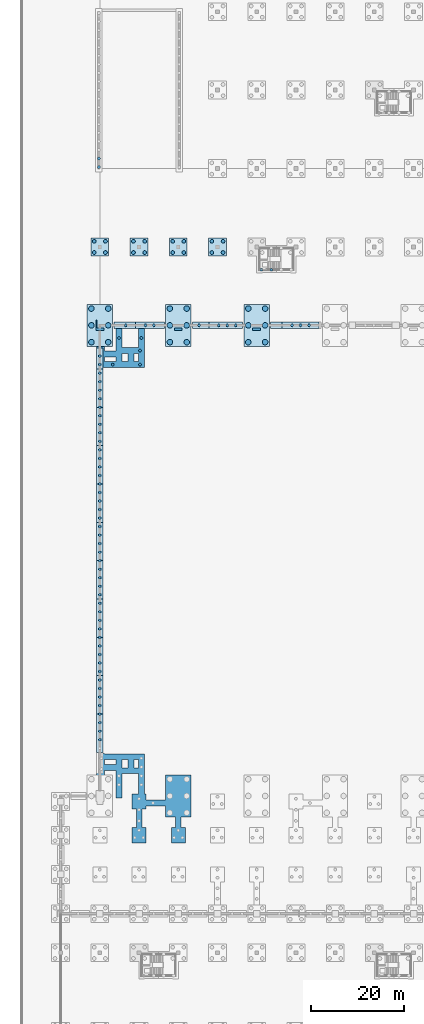
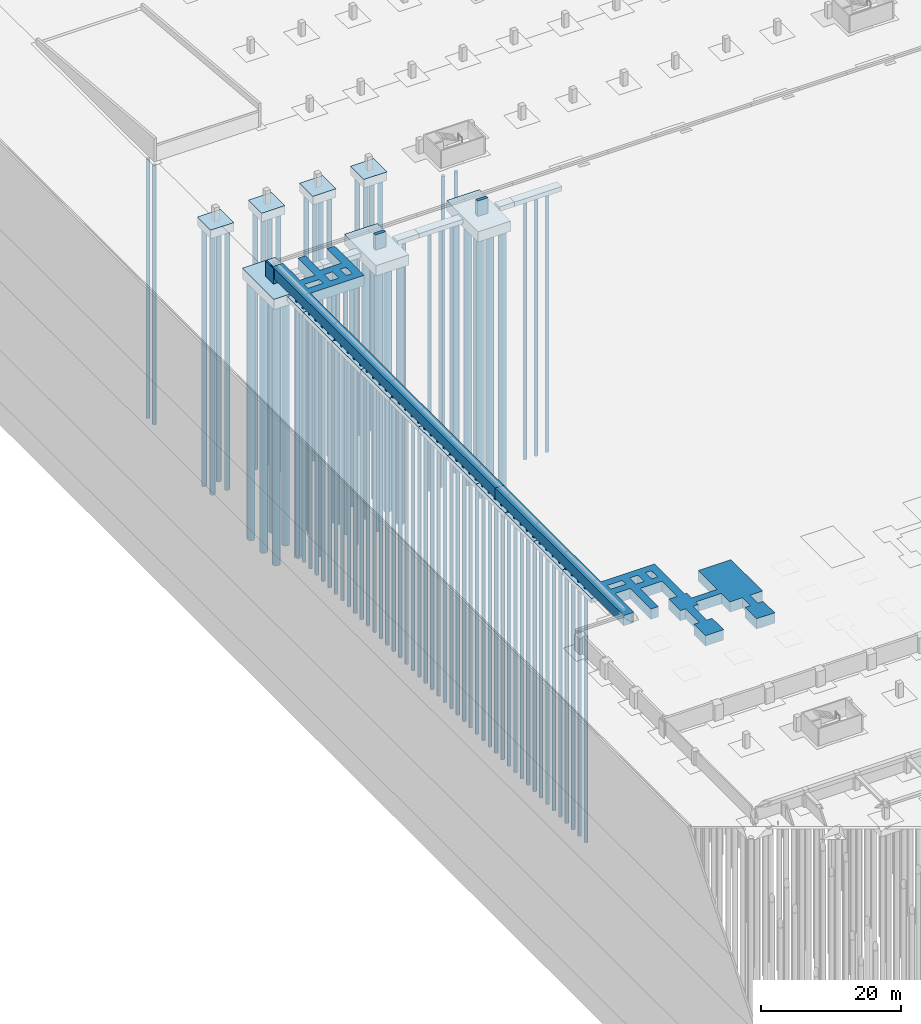
# One storey, part 13 of 67: 99 piles, 29 footings.
"""IFC4 building model written with IfcOpenShell, lengths in metres."""

from ifc_helpers import new_model, si_unit, direction, frame, origin, origin_2d, place, context, subcontext, project, spatial, polyline, circle, outline, extrude, material, material_profile, profile_set, type_object, element, save


model = new_model("IFC4")

# Units and contexts
model_context = context("Model", 3, precision=1e-05, world=origin(), true_north=direction((0.0, 1.0)))
body_context = subcontext(model_context, "Body", "Model", "MODEL_VIEW")
ifc_project = project(units=[si_unit("LENGTHUNIT", "METRE"), si_unit("AREAUNIT", "SQUARE_METRE"), si_unit("VOLUMEUNIT", "CUBIC_METRE"), si_unit("PLANEANGLEUNIT", "RADIAN"), si_unit("MASSUNIT", "GRAM", prefix="KILO")], contexts=[model_context])

# Site, building, storey
site_placement = place(None, origin())
site = spatial("IfcSite", under=ifc_project, at=site_placement, CompositionType="ELEMENT")
building_placement = place(site_placement, origin())
building = spatial("IfcBuilding", under=site, at=building_placement, Name="Rain Tree Exposition and Congress Centre", CompositionType="ELEMENT")
storey_placement = place(building_placement, frame((0.0, 0.0, -3.0)))
storey = spatial("IfcBuildingStorey", under=building, at=storey_placement, Name="B1", CompositionType="ELEMENT", Elevation=-3.0)

# Piles
ifc_material_1 = material(Name="Concrete C35/45", Category="concrete")
ifc_material_profile_1 = material_profile(ifc_material_1, circle(Radius=0.60009765625, at=origin_2d()), Name="D1200")
ifc_profile_set_1 = profile_set([ifc_material_profile_1], Name="Concrete C35/45")
pile_type_1 = type_object("IfcPileType", Name="Bored pile D1200", PredefinedType="BORED", material=ifc_profile_set_1)
for number, where, z_axis, x_axis, name in (
    (1, (23.39990234375, 198.0, -1.72509765625), (0.0, 0.0, -1.0), (1.0, 0.0, 0.0), "Bored pile 0193"),
    (2, (27.0, 198.0, -1.72509765625), (0.0, 0.0, -1.0), (1.0, 0.0, 0.0), "Bored pile 0194"),
    (3, (23.39990234375, 201.60009765625, -1.72509765625), (0.0, 0.0, -1.0), (1.0, 0.0, 0.0), "Bored pile 0195"),
    (4, (27.0, 201.60009765625, -1.72509765625), (0.0, 0.0, -1.0), (1.0, 0.0, 0.0), "Bored pile 0196"),
    (5, (23.39990234375, 205.199951171875, -1.72509765625), (0.0, 0.0, -1.0), (1.0, 0.0, 0.0), "Bored pile 0197"),
    (6, (27.0, 205.199951171875, -1.72509765625), (0.0, 0.0, -1.0), (1.0, 0.0, 0.0), "Bored pile 0198"),
    (7, (6.60009765625, 198.0, -1.72509765625), (0.0, 0.0, -1.0), (1.0, 0.0, 0.0), "Bored pile 0199"),
    (8, (10.199951171875, 198.0, -1.72509765625), (0.0, 0.0, -1.0), (1.0, 0.0, 0.0), "Bored pile 0200"),
    (9, (6.60009765625, 201.60009765625, -1.72509765625), (0.0, 0.0, -1.0), (1.0, 0.0, 0.0), "Bored pile 0201"),
    (10, (10.199951171875, 201.60009765625, -1.72509765625), (0.0, 0.0, -1.0), (1.0, 0.0, 0.0), "Bored pile 0202"),
    (11, (6.60009765625, 205.199951171875, -1.72509765625), (0.0, 0.0, -1.0), (1.0, 0.0, 0.0), "Bored pile 0203"),
    (12, (10.199951171875, 205.199951171875, -1.72509765625), (0.0, 0.0, -1.0), (1.0, 0.0, 0.0), "Bored pile 0204"),
    (13, (40.199951171875, 198.0, -1.72509765625), (0.0, 0.0, -1.0), (1.0, 0.0, 0.0), "Bored pile 0423"),
    (14, (43.800048828125, 198.0, -1.72509765625), (0.0, 0.0, -1.0), (1.0, 0.0, 0.0), "Bored pile 0424"),
    (15, (40.199951171875, 201.60009765625, -1.72509765625), (0.0, 0.0, -1.0), (1.0, 0.0, 0.0), "Bored pile 0425"),
    (16, (43.800048828125, 201.60009765625, -1.72509765625), (0.0, 0.0, -1.0), (1.0, 0.0, 0.0), "Bored pile 0426"),
    (17, (40.199951171875, 205.199951171875, -1.72509765625), (0.0, 0.0, -1.0), (1.0, 0.0, 0.0), "Bored pile 0427"),
    (18, (43.800048828125, 205.199951171875, -1.72509765625), (0.0, 0.0, -1.0), (1.0, 0.0, 0.0), "Bored pile 0428"),
):
    element("IfcPile", number, at=place(storey_placement, frame(where, z_axis=z_axis, x_axis=x_axis)), inside=storey, type_object=pile_type_1, Name=name, PredefinedType="BORED", context=body_context, shape_type="SweptSolid", body=[
        extrude(circle(Radius=0.60009765625, at=origin_2d()), origin(), (0.0, 0.0, 1.0), 45.074951171875),
    ])
ifc_material_2 = material(Name="Concrete C35/45", Category="concrete")
ifc_material_profile_2 = material_profile(ifc_material_2, circle(Radius=0.300048828125, at=origin_2d()), Name="D600")
ifc_profile_set_2 = profile_set([ifc_material_profile_2], Name="Concrete C35/45")
pile_type_2 = type_object("IfcPileType", Name="Bored pile D600", PredefinedType="BORED", material=ifc_profile_set_2)
for number, where, z_axis, x_axis, name in (
    (19, (8.199951171875, 237.333251953125, -0.72509765625), (0.0, 0.0, -1.0), (1.0, 0.0, 0.0), "Bored pile 0242"),
    (20, (8.199951171875, 235.5, -0.72509765625), (0.0, 0.0, -1.0), (1.0, 0.0, 0.0), "Bored pile 0243"),
    (21, (43.0, 213.5, -1.425048828125), (0.0, 0.0, -1.0), (1.0, 0.0, 0.0), "Bored pile 0437"),
    (22, (45.13330078125, 213.5, -1.425048828125), (0.0, 0.0, -1.0), (1.0, 0.0, 0.0), "Bored pile 0440"),
    (23, (12.5, 198.89990234375, 0.92578125), (0.0, 0.0, -1.0), (1.0, 0.0, 0.0), "Bored pile 1613"),
    (24, (17.300048828125, 198.89990234375, 0.92578125), (0.0, 0.0, -1.0), (1.0, 0.0, 0.0), "Bored pile 1614"),
    (25, (17.0, 196.199951171875, 0.92578125), (0.0, 0.0, -1.0), (1.0, 0.0, 0.0), "Bored pile 1615"),
    (26, (8.39990234375, 195.022216796875, 0.92578125), (0.0, 0.0, -1.0), (1.0, 0.0, 0.0), "Bored pile 1616"),
    (27, (11.14990234375, 193.199951171875, 0.92578125), (0.0, 0.0, -1.0), (1.0, 0.0, 0.0), "Bored pile 1617"),
    (28, (17.0, 193.199951171875, 0.92578125), (0.0, 0.0, -1.0), (1.0, 0.0, 0.0), "Bored pile 1618"),
    (29, (8.39990234375, 193.1962890625, 0.92578125), (0.0, 0.0, -1.0), (1.0, 0.0, 0.0), "Bored pile 1619"),
    (30, (8.39990234375, 191.370361328125, 0.92578125), (0.0, 0.0, -1.0), (1.0, 0.0, 0.0), "Bored pile 1620"),
    (31, (8.39990234375, 189.54443359375, 0.92578125), (0.0, 0.0, -1.0), (1.0, 0.0, 0.0), "Bored pile 1621"),
    (32, (8.39990234375, 187.718505859375, 0.92578125), (0.0, 0.0, -1.0), (1.0, 0.0, 0.0), "Bored pile 1622"),
    (33, (8.39990234375, 185.892578125, 0.92578125), (0.0, 0.0, -1.0), (1.0, 0.0, 0.0), "Bored pile 1623"),
    (34, (8.39990234375, 184.066650390625, 0.92578125), (0.0, 0.0, -1.0), (1.0, 0.0, 0.0), "Bored pile 1624"),
    (35, (8.39990234375, 182.24072265625, 0.92578125), (0.0, 0.0, -1.0), (1.0, 0.0, 0.0), "Bored pile 1625"),
    (36, (8.39990234375, 180.414794921875, 0.92578125), (0.0, 0.0, -1.0), (1.0, 0.0, 0.0), "Bored pile 1626"),
    (37, (8.39990234375, 178.5888671875, 0.92578125), (0.0, 0.0, -1.0), (1.0, 0.0, 0.0), "Bored pile 1627"),
    (38, (8.39990234375, 176.762939453125, 0.92578125), (0.0, 0.0, -1.0), (1.0, 0.0, 0.0), "Bored pile 1628"),
    (39, (8.39990234375, 174.93701171875, 0.92578125), (0.0, 0.0, -1.0), (1.0, 0.0, 0.0), "Bored pile 1629"),
    (40, (8.39990234375, 173.111083984375, 0.92578125), (0.0, 0.0, -1.0), (1.0, 0.0, 0.0), "Bored pile 1630"),
    (41, (8.39990234375, 171.28515625, 0.92578125), (0.0, 0.0, -1.0), (1.0, 0.0, 0.0), "Bored pile 1631"),
    (42, (8.39990234375, 169.459228515625, 0.92578125), (0.0, 0.0, -1.0), (1.0, 0.0, 0.0), "Bored pile 1632"),
    (43, (8.39990234375, 167.63330078125, 0.92578125), (0.0, 0.0, -1.0), (1.0, 0.0, 0.0), "Bored pile 1633"),
    (44, (8.39990234375, 165.807373046875, 0.92578125), (0.0, 0.0, -1.0), (1.0, 0.0, 0.0), "Bored pile 1634"),
    (45, (8.39990234375, 163.9814453125, 0.92578125), (0.0, 0.0, -1.0), (1.0, 0.0, 0.0), "Bored pile 1635"),
    (46, (8.39990234375, 162.155517578125, 0.92578125), (0.0, 0.0, -1.0), (1.0, 0.0, 0.0), "Bored pile 1636"),
    (47, (8.39990234375, 160.32958984375, 0.92578125), (0.0, 0.0, -1.0), (1.0, 0.0, 0.0), "Bored pile 1637"),
    (48, (8.39990234375, 158.503662109375, 0.92578125), (0.0, 0.0, -1.0), (1.0, 0.0, 0.0), "Bored pile 1638"),
    (49, (8.39990234375, 156.677734375, 0.92578125), (0.0, 0.0, -1.0), (1.0, 0.0, 0.0), "Bored pile 1639"),
    (50, (8.39990234375, 154.851806640625, 0.92578125), (0.0, 0.0, -1.0), (1.0, 0.0, 0.0), "Bored pile 1640"),
    (51, (8.39990234375, 153.02587890625, 0.92578125), (0.0, 0.0, -1.0), (1.0, 0.0, 0.0), "Bored pile 1641"),
    (52, (8.39990234375, 151.199951171875, 0.92578125), (0.0, 0.0, -1.0), (1.0, 0.0, 0.0), "Bored pile 1642"),
    (53, (8.39990234375, 149.3740234375, 0.92578125), (0.0, 0.0, -1.0), (1.0, 0.0, 0.0), "Bored pile 1643"),
    (54, (8.39990234375, 147.548095703125, 0.92578125), (0.0, 0.0, -1.0), (1.0, 0.0, 0.0), "Bored pile 1644"),
    (55, (8.39990234375, 145.72216796875, 0.92578125), (0.0, 0.0, -1.0), (1.0, 0.0, 0.0), "Bored pile 1645"),
    (56, (8.39990234375, 143.896240234375, 0.92578125), (0.0, 0.0, -1.0), (1.0, 0.0, 0.0), "Bored pile 1646"),
    (57, (8.39990234375, 142.0703125, 0.92578125), (0.0, 0.0, -1.0), (1.0, 0.0, 0.0), "Bored pile 1647"),
    (58, (8.39990234375, 140.244384765625, 0.92578125), (0.0, 0.0, -1.0), (1.0, 0.0, 0.0), "Bored pile 1648"),
    (59, (8.39990234375, 138.41845703125, 0.92578125), (0.0, 0.0, -1.0), (1.0, 0.0, 0.0), "Bored pile 1649"),
    (60, (8.39990234375, 136.592529296875, 0.92578125), (0.0, 0.0, -1.0), (1.0, 0.0, 0.0), "Bored pile 1650"),
    (61, (8.39990234375, 134.7666015625, 0.92578125), (0.0, 0.0, -1.0), (1.0, 0.0, 0.0), "Bored pile 1651"),
    (62, (8.39990234375, 132.940673828125, 0.92578125), (0.0, 0.0, -1.0), (1.0, 0.0, 0.0), "Bored pile 1652"),
    (63, (8.39990234375, 131.11474609375, 0.92578125), (0.0, 0.0, -1.0), (1.0, 0.0, 0.0), "Bored pile 1653"),
    (64, (8.39990234375, 129.288818359375, 0.92578125), (0.0, 0.0, -1.0), (1.0, 0.0, 0.0), "Bored pile 1654"),
    (65, (8.39990234375, 127.462890625, 0.92578125), (0.0, 0.0, -1.0), (1.0, 0.0, 0.0), "Bored pile 1655"),
    (66, (8.39990234375, 125.636962890625, 0.92578125), (0.0, 0.0, -1.0), (1.0, 0.0, 0.0), "Bored pile 1656"),
    (67, (8.39990234375, 123.81103515625, 0.92578125), (0.0, 0.0, -1.0), (1.0, 0.0, 0.0), "Bored pile 1657"),
    (68, (8.39990234375, 121.985107421875, 0.92578125), (0.0, 0.0, -1.0), (1.0, 0.0, 0.0), "Bored pile 1658"),
    (69, (8.39990234375, 120.1591796875, 0.92578125), (0.0, 0.0, -1.0), (1.0, 0.0, 0.0), "Bored pile 1659"),
    (70, (8.39990234375, 118.333251953125, 0.92578125), (0.0, 0.0, -1.0), (1.0, 0.0, 0.0), "Bored pile 1660"),
    (71, (8.39990234375, 116.50732421875, 0.92578125), (0.0, 0.0, -1.0), (1.0, 0.0, 0.0), "Bored pile 1661"),
    (72, (8.39990234375, 114.681396484375, 0.92578125), (0.0, 0.0, -1.0), (1.0, 0.0, 0.0), "Bored pile 1662"),
    (73, (8.39990234375, 112.855712890625, 0.92578125), (0.0, 0.0, -1.0), (1.0, 0.0, 0.0), "Bored pile 1663"),
    (74, (13.93994140625, 201.60009765625, -0.72509765625), (0.0, 0.0, -1.0), (1.0, 0.0, 0.0), "Bored pile 2490"),
    (75, (18.166748046875, 201.60009765625, -0.72509765625), (0.0, 0.0, -1.0), (1.0, 0.0, 0.0), "Bored pile 2491"),
    (76, (19.97998046875, 201.60009765625, -0.72509765625), (0.0, 0.0, -1.0), (1.0, 0.0, 0.0), "Bored pile 2492"),
    (77, (29.646728515625, 201.60009765625, -0.72509765625), (0.0, 0.0, -1.0), (1.0, 0.0, 0.0), "Bored pile 2493"),
    (78, (33.873291015625, 201.60009765625, -0.72509765625), (0.0, 0.0, -1.0), (1.0, 0.0, 0.0), "Bored pile 2494"),
    (79, (35.686767578125, 201.60009765625, -0.72509765625), (0.0, 0.0, -1.0), (1.0, 0.0, 0.0), "Bored pile 2495"),
    (80, (37.5, 201.60009765625, -0.72509765625), (0.0, 0.0, -1.0), (1.0, 0.0, 0.0), "Bored pile 2496"),
    (81, (49.580078125, 201.60009765625, -0.72509765625), (0.0, 0.0, -1.0), (1.0, 0.0, 0.0), "Bored pile 2497"),
    (82, (51.393310546875, 201.60009765625, -0.72509765625), (0.0, 0.0, -1.0), (1.0, 0.0, 0.0), "Bored pile 2498"),
    (83, (53.206787109375, 201.60009765625, -0.72509765625), (0.0, 0.0, -1.0), (1.0, 0.0, 0.0), "Bored pile 2499"),
):
    element("IfcPile", number, at=place(storey_placement, frame(where, z_axis=z_axis, x_axis=x_axis)), inside=storey, type_object=pile_type_2, Name=name, PredefinedType="BORED", context=body_context, shape_type="SweptSolid", body=[
        extrude(circle(Radius=0.300048828125, at=origin_2d()), origin(), (0.0, 0.0, 1.0), 45.074951171875),
    ])
ifc_material_3 = material(Name="Concrete C35/45", Category="concrete")
ifc_material_profile_3 = material_profile(ifc_material_3, circle(Radius=0.39990234375, at=origin_2d()), Name="D800")
ifc_profile_set_3 = profile_set([ifc_material_profile_3], Name="Concrete C35/45")
pile_type_3 = type_object("IfcPileType", Name="Bored pile D800", PredefinedType="BORED", material=ifc_profile_set_3)
for number, where, z_axis, x_axis, name in (
    (84, (7.199951171875, 217.199951171875, -1.425048828125), (0.0, 0.0, -1.0), (1.0, 0.0, 0.0), "Bored pile 0205"),
    (85, (9.60009765625, 217.199951171875, -1.425048828125), (0.0, 0.0, -1.0), (1.0, 0.0, 0.0), "Bored pile 0206"),
    (86, (7.199951171875, 219.60009765625, -1.425048828125), (0.0, 0.0, -1.0), (1.0, 0.0, 0.0), "Bored pile 0207"),
    (87, (9.60009765625, 219.60009765625, -1.425048828125), (0.0, 0.0, -1.0), (1.0, 0.0, 0.0), "Bored pile 0208"),
    (88, (32.39990234375, 217.199951171875, -1.425048828125), (0.0, 0.0, -1.0), (1.0, 0.0, 0.0), "Bored pile 0209"),
    (89, (34.800048828125, 217.199951171875, -1.425048828125), (0.0, 0.0, -1.0), (1.0, 0.0, 0.0), "Bored pile 0210"),
    (90, (32.39990234375, 219.60009765625, -1.425048828125), (0.0, 0.0, -1.0), (1.0, 0.0, 0.0), "Bored pile 0211"),
    (91, (34.800048828125, 219.60009765625, -1.425048828125), (0.0, 0.0, -1.0), (1.0, 0.0, 0.0), "Bored pile 0212"),
    (92, (15.60009765625, 217.199951171875, -1.425048828125), (0.0, 0.0, -1.0), (1.0, 0.0, 0.0), "Bored pile 0213"),
    (93, (18.0, 217.199951171875, -1.425048828125), (0.0, 0.0, -1.0), (1.0, 0.0, 0.0), "Bored pile 0214"),
    (94, (15.60009765625, 219.60009765625, -1.425048828125), (0.0, 0.0, -1.0), (1.0, 0.0, 0.0), "Bored pile 0215"),
    (95, (18.0, 219.60009765625, -1.425048828125), (0.0, 0.0, -1.0), (1.0, 0.0, 0.0), "Bored pile 0216"),
    (96, (24.0, 217.199951171875, -1.425048828125), (0.0, 0.0, -1.0), (1.0, 0.0, 0.0), "Bored pile 0217"),
    (97, (26.39990234375, 217.199951171875, -1.425048828125), (0.0, 0.0, -1.0), (1.0, 0.0, 0.0), "Bored pile 0218"),
    (98, (24.0, 219.60009765625, -1.425048828125), (0.0, 0.0, -1.0), (1.0, 0.0, 0.0), "Bored pile 0219"),
    (99, (26.39990234375, 219.60009765625, -1.425048828125), (0.0, 0.0, -1.0), (1.0, 0.0, 0.0), "Bored pile 0220"),
):
    element("IfcPile", number, at=place(storey_placement, frame(where, z_axis=z_axis, x_axis=x_axis)), inside=storey, type_object=pile_type_3, Name=name, PredefinedType="BORED", context=body_context, shape_type="SweptSolid", body=[
        extrude(circle(Radius=0.39990234375, at=origin_2d()), origin(), (0.0, 0.0, 1.0), 45.074951171875),
    ])

# Footings
ifc_material_4 = material(Name="Concrete C35/45", Category="concrete")
footing_type_1 = type_object("IfcFootingType", Name="Pier cap 2650 thick", PredefinedType="PILE_CAP", material=ifc_material_4)
footing_1_placement = place(storey_placement, origin())
element("IfcFooting", 100, at=footing_1_placement, inside=storey, type_object=footing_type_1, Name="Pier cap 015", PredefinedType="PILE_CAP", context=body_context, shape_type="SweptSolid", body=[
    extrude(outline(polyline([(24.35009765625, 201.0), (24.35009765625, 200.449951171875), (26.050048828125, 200.449951171875), (26.050048828125, 201.0), (24.35009765625, 201.0)])), origin(), (0.0, 0.0, 1.0), 2.64990234375),
])
footing_2_placement = place(storey_placement, origin())
element("IfcFooting", 101, at=footing_2_placement, inside=storey, type_object=footing_type_1, Name="Pier cap 016", PredefinedType="PILE_CAP", context=body_context, shape_type="SweptSolid", body=[
    extrude(outline(polyline([(41.14990234375, 201.0), (41.14990234375, 200.449951171875), (42.85009765625, 200.449951171875), (42.85009765625, 201.0), (41.14990234375, 201.0)])), origin(), (0.0, 0.0, 1.0), 2.64990234375),
])
footing_3_placement = place(storey_placement, origin())
element("IfcFooting", 102, at=footing_3_placement, inside=storey, type_object=footing_type_1, Name="Pier cap 029", PredefinedType="PILE_CAP", context=body_context, shape_type="SweptSolid", body=[
    extrude(outline(polyline([(7.550048828125, 202.75), (7.550048828125, 200.449951171875), (9.25, 200.449951171875), (9.25, 201.0), (7.800048828125, 201.0), (7.800048828125, 202.75), (7.550048828125, 202.75)])), origin(), (0.0, 0.0, 1.0), 2.64990234375),
])
ifc_material_5 = material(Name="Concrete C35/45", Category="concrete")
footing_type_2 = type_object("IfcFootingType", Name="Pile cap 1500 thick", PredefinedType="PILE_CAP", material=ifc_material_5)
footing_4_placement = place(storey_placement, frame((0.0, 0.0, -1.5)))
element("IfcFooting", 103, at=footing_4_placement, inside=storey, type_object=footing_type_2, Name="Pile cap 047", PredefinedType="PILE_CAP", context=body_context, shape_type="SweptSolid", body=[
    extrude(outline(polyline([(10.300048828125, 216.5), (10.300048828125, 220.300048828125), (6.5, 220.300048828125), (6.5, 216.5), (10.300048828125, 216.5)])), origin(), (0.0, 0.0, 1.0), 1.5),
])
footing_5_placement = place(storey_placement, frame((0.0, 0.0, -1.5)))
element("IfcFooting", 104, at=footing_5_placement, inside=storey, type_object=footing_type_2, Name="Pile cap 048", PredefinedType="PILE_CAP", context=body_context, shape_type="SweptSolid", body=[
    extrude(outline(polyline([(35.5, 216.5), (35.5, 220.300048828125), (31.699951171875, 220.300048828125), (31.699951171875, 216.5), (35.5, 216.5)])), origin(), (0.0, 0.0, 1.0), 1.5),
])
footing_6_placement = place(storey_placement, frame((0.0, 0.0, -1.5)))
element("IfcFooting", 105, at=footing_6_placement, inside=storey, type_object=footing_type_2, Name="Pile cap 049", PredefinedType="PILE_CAP", context=body_context, shape_type="SweptSolid", body=[
    extrude(outline(polyline([(18.699951171875, 216.5), (18.699951171875, 220.300048828125), (14.89990234375, 220.300048828125), (14.89990234375, 216.5), (18.699951171875, 216.5)])), origin(), (0.0, 0.0, 1.0), 1.5),
])
footing_7_placement = place(storey_placement, frame((0.0, 0.0, -1.5)))
element("IfcFooting", 106, at=footing_7_placement, inside=storey, type_object=footing_type_2, Name="Pile cap 050", PredefinedType="PILE_CAP", context=body_context, shape_type="SweptSolid", body=[
    extrude(outline(polyline([(27.10009765625, 216.5), (27.10009765625, 220.300048828125), (23.300048828125, 220.300048828125), (23.300048828125, 216.5), (27.10009765625, 216.5)])), origin(), (0.0, 0.0, 1.0), 1.5),
])
ifc_material_6 = material(Name="Concrete C35/45", Category="concrete")
footing_type_3 = type_object("IfcFootingType", Name="Pile cap 1800 thick", PredefinedType="PILE_CAP", material=ifc_material_6)
footing_8_placement = place(storey_placement, frame((0.0, 0.0, -1.800048828125)))
element("IfcFooting", 107, at=footing_8_placement, inside=storey, type_object=footing_type_3, Name="Pile cap 045", PredefinedType="PILE_CAP", context=body_context, shape_type="SweptSolid", body=[
    extrude(outline(polyline([(27.89990234375, 197.10009765625), (27.89990234375, 206.10009765625), (22.5, 206.10009765625), (22.5, 197.10009765625), (27.89990234375, 197.10009765625)])), origin(), (0.0, 0.0, 1.0), 1.800048828125),
])
footing_9_placement = place(storey_placement, frame((0.0, 0.0, -1.800048828125)))
element("IfcFooting", 108, at=footing_9_placement, inside=storey, type_object=footing_type_3, Name="Pile cap 046", PredefinedType="PILE_CAP", context=body_context, shape_type="SweptSolid", body=[
    extrude(outline(polyline([(11.10009765625, 197.10009765625), (11.10009765625, 206.10009765625), (5.699951171875, 206.10009765625), (5.699951171875, 197.10009765625), (11.10009765625, 197.10009765625)])), origin(), (0.0, 0.0, 1.0), 1.800048828125),
])
footing_10_placement = place(storey_placement, frame((0.0, 0.0, -1.800048828125)))
element("IfcFooting", 109, at=footing_10_placement, inside=storey, type_object=footing_type_3, Name="Pile cap 085", PredefinedType="PILE_CAP", context=body_context, shape_type="SweptSolid", body=[
    extrude(outline(polyline([(44.699951171875, 197.10009765625), (44.699951171875, 206.10009765625), (39.300048828125, 206.10009765625), (39.300048828125, 197.10009765625), (44.699951171875, 197.10009765625)])), origin(), (0.0, 0.0, 1.0), 1.800048828125),
])
ifc_material_7 = material(Name="Concrete C35/45", Category="concrete")
footing_type_4 = type_object("IfcFootingType", Name="Strip footing 1800 thick", PredefinedType="STRIP_FOOTING", material=ifc_material_7)
footing_11_placement = place(storey_placement, frame((0.0, 0.0, 0.8505859375)))
element("IfcFooting", 110, at=footing_11_placement, inside=storey, type_object=footing_type_4, Name="Strip footing 047", PredefinedType="STRIP_FOOTING", context=body_context, shape_type="SweptSolid", body=[
    extrude(outline(polyline([(7.699951171875, 200.800048828125), (7.699951171875, 137.505615234375), (9.10009765625, 137.505615234375), (9.10009765625, 192.550048828125), (9.39990234375, 192.550048828125), (9.39990234375, 192.574951171875), (11.875, 192.574951171875), (13.125, 192.574951171875), (14.47509765625, 192.574951171875), (15.72509765625, 192.574951171875), (16.675048828125, 192.574951171875), (17.925048828125, 192.574951171875), (17.925048828125, 193.199951171875), (17.925048828125, 193.824951171875), (17.925048828125, 195.574951171875), (17.925048828125, 196.824951171875), (17.925048828125, 201.0), (16.675048828125, 201.0), (16.675048828125, 196.824951171875), (15.72509765625, 196.824951171875), (14.47509765625, 196.824951171875), (13.125, 196.824951171875), (13.125, 201.0), (11.875, 201.0), (11.875, 196.824951171875), (11.875, 196.125), (9.39990234375, 196.125), (9.39990234375, 201.0), (9.10009765625, 201.0), (8.10009765625, 201.0), (7.800048828125, 201.0), (7.800048828125, 201.5), (7.699951171875, 201.5), (7.699951171875, 200.800048828125)]), holes=[polyline([(15.72509765625, 193.824951171875), (16.675048828125, 193.824951171875), (16.675048828125, 195.574951171875), (15.72509765625, 195.574951171875), (15.72509765625, 193.824951171875)]), polyline([(13.125, 193.824951171875), (14.47509765625, 193.824951171875), (14.47509765625, 195.574951171875), (13.125, 195.574951171875), (13.125, 193.824951171875)]), polyline([(9.39990234375, 193.824951171875), (11.875, 193.824951171875), (11.875, 194.875), (9.39990234375, 194.875), (9.39990234375, 193.824951171875)])]), origin(), (0.0, 0.0, 1.0), 1.800048828125),
])
footing_12_placement = place(storey_placement, frame((0.0, 0.0, 0.8505859375)))
element("IfcFooting", 111, at=footing_12_placement, inside=storey, type_object=footing_type_4, Name="Strip footing 048", PredefinedType="STRIP_FOOTING", context=body_context, shape_type="SweptSolid", body=[
    extrude(outline(polyline([(17.925048828125, 108.574951171875), (17.925048828125, 109.824951171875), (17.300048828125, 109.824951171875), (16.675048828125, 109.824951171875), (15.72509765625, 109.824951171875), (14.47509765625, 109.824951171875), (13.125, 109.824951171875), (11.875, 109.824951171875), (9.39990234375, 109.824951171875), (9.39990234375, 109.85009765625), (9.10009765625, 109.85009765625), (9.10009765625, 137.505615234375), (7.699951171875, 137.505615234375), (7.699951171875, 100.89990234375), (9.10009765625, 100.89990234375), (9.10009765625, 100.949951171875), (9.39990234375, 100.949951171875), (9.39990234375, 101.60009765625), (9.39990234375, 106.27490234375), (11.875, 106.27490234375), (11.875, 105.574951171875), (11.875, 100.375), (13.125, 100.375), (13.125, 101.0), (13.125, 105.574951171875), (14.47509765625, 105.574951171875), (15.72509765625, 105.574951171875), (16.675048828125, 105.574951171875), (16.675048828125, 101.2392578125), (15.300048828125, 101.2392578125), (15.300048828125, 97.960693359375), (16.199951171875, 97.960693359375), (16.199951171875, 94.039306640625), (15.300048828125, 94.039306640625), (15.300048828125, 90.7607421875), (18.300048828125, 90.7607421875), (18.300048828125, 94.039306640625), (17.39990234375, 94.039306640625), (17.39990234375, 97.960693359375), (18.300048828125, 97.960693359375), (18.300048828125, 98.699951171875), (22.5, 98.699951171875), (22.5, 96.300048828125), (24.60009765625, 96.300048828125), (24.60009765625, 94.039306640625), (23.699951171875, 94.039306640625), (23.699951171875, 90.7607421875), (26.699951171875, 90.7607421875), (26.699951171875, 94.039306640625), (25.800048828125, 94.039306640625), (25.800048828125, 96.300048828125), (27.89990234375, 96.300048828125), (27.89990234375, 105.300048828125), (22.5, 105.300048828125), (22.5, 99.89990234375), (18.300048828125, 99.89990234375), (18.300048828125, 101.2392578125), (17.925048828125, 101.2392578125), (17.925048828125, 105.574951171875), (17.925048828125, 106.824951171875), (17.925048828125, 108.574951171875)]), holes=[polyline([(15.72509765625, 106.824951171875), (16.675048828125, 106.824951171875), (16.675048828125, 108.574951171875), (15.72509765625, 108.574951171875), (15.72509765625, 106.824951171875)]), polyline([(13.125, 106.824951171875), (14.47509765625, 106.824951171875), (14.47509765625, 108.574951171875), (13.125, 108.574951171875), (13.125, 106.824951171875)]), polyline([(11.875, 107.52490234375), (11.875, 108.574951171875), (9.39990234375, 108.574951171875), (9.39990234375, 107.52490234375), (11.875, 107.52490234375)])]), origin(), (0.0, 0.0, 1.0), 1.800048828125),
])
ifc_material_8 = material(Name="Concrete C35/45", Category="concrete")
footing_type_5 = type_object("IfcFootingType", Name="Strip footing 800 thick", PredefinedType="STRIP_FOOTING", material=ifc_material_8)
footing_13_placement = place(storey_placement, frame((0.0, 0.0, -0.800048828125)))
element("IfcFooting", 112, at=footing_13_placement, inside=storey, type_object=footing_type_5, Name="Strip footing 137", PredefinedType="STRIP_FOOTING", context=body_context, shape_type="SweptSolid", body=[
    extrude(outline(polyline([(9.10009765625, 110.158203125), (9.10009765625, 118.36669921875), (7.699951171875, 118.36669921875), (7.699951171875, 110.158203125), (9.10009765625, 110.158203125)])), origin(), (0.0, 0.0, 1.0), 0.800048828125),
])
footing_14_placement = place(storey_placement, frame((0.0, 0.0, -0.800048828125)))
element("IfcFooting", 113, at=footing_14_placement, inside=storey, type_object=footing_type_5, Name="Strip footing 138", PredefinedType="STRIP_FOOTING", context=body_context, shape_type="SweptSolid", body=[
    extrude(outline(polyline([(9.10009765625, 118.36669921875), (9.10009765625, 126.574951171875), (7.699951171875, 126.574951171875), (7.699951171875, 118.36669921875), (9.10009765625, 118.36669921875)])), origin(), (0.0, 0.0, 1.0), 0.800048828125),
])
footing_15_placement = place(storey_placement, frame((0.0, 0.0, -0.800048828125)))
element("IfcFooting", 114, at=footing_15_placement, inside=storey, type_object=footing_type_5, Name="Strip footing 139", PredefinedType="STRIP_FOOTING", context=body_context, shape_type="SweptSolid", body=[
    extrude(outline(polyline([(9.10009765625, 126.574951171875), (9.10009765625, 134.783203125), (7.699951171875, 134.783203125), (7.699951171875, 126.574951171875), (9.10009765625, 126.574951171875)])), origin(), (0.0, 0.0, 1.0), 0.800048828125),
])
footing_16_placement = place(storey_placement, frame((0.0, 0.0, -0.800048828125)))
element("IfcFooting", 115, at=footing_16_placement, inside=storey, type_object=footing_type_5, Name="Strip footing 140", PredefinedType="STRIP_FOOTING", context=body_context, shape_type="SweptSolid", body=[
    extrude(outline(polyline([(9.10009765625, 134.783203125), (9.10009765625, 142.99169921875), (7.699951171875, 142.99169921875), (7.699951171875, 134.783203125), (9.10009765625, 134.783203125)])), origin(), (0.0, 0.0, 1.0), 0.800048828125),
])
footing_17_placement = place(storey_placement, frame((0.0, 0.0, -0.800048828125)))
element("IfcFooting", 116, at=footing_17_placement, inside=storey, type_object=footing_type_5, Name="Strip footing 141", PredefinedType="STRIP_FOOTING", context=body_context, shape_type="SweptSolid", body=[
    extrude(outline(polyline([(9.10009765625, 142.99169921875), (9.10009765625, 151.199951171875), (7.699951171875, 151.199951171875), (7.699951171875, 142.99169921875), (9.10009765625, 142.99169921875)])), origin(), (0.0, 0.0, 1.0), 0.800048828125),
])
footing_18_placement = place(storey_placement, frame((0.0, 0.0, -0.800048828125)))
element("IfcFooting", 117, at=footing_18_placement, inside=storey, type_object=footing_type_5, Name="Strip footing 142", PredefinedType="STRIP_FOOTING", context=body_context, shape_type="SweptSolid", body=[
    extrude(outline(polyline([(9.10009765625, 151.199951171875), (9.10009765625, 159.408203125), (7.699951171875, 159.408203125), (7.699951171875, 151.199951171875), (9.10009765625, 151.199951171875)])), origin(), (0.0, 0.0, 1.0), 0.800048828125),
])
footing_19_placement = place(storey_placement, frame((0.0, 0.0, -0.800048828125)))
element("IfcFooting", 118, at=footing_19_placement, inside=storey, type_object=footing_type_5, Name="Strip footing 143", PredefinedType="STRIP_FOOTING", context=body_context, shape_type="SweptSolid", body=[
    extrude(outline(polyline([(9.10009765625, 159.408203125), (9.10009765625, 167.61669921875), (7.699951171875, 167.61669921875), (7.699951171875, 159.408203125), (9.10009765625, 159.408203125)])), origin(), (0.0, 0.0, 1.0), 0.800048828125),
])
footing_20_placement = place(storey_placement, frame((0.0, 0.0, -0.800048828125)))
element("IfcFooting", 119, at=footing_20_placement, inside=storey, type_object=footing_type_5, Name="Strip footing 144", PredefinedType="STRIP_FOOTING", context=body_context, shape_type="SweptSolid", body=[
    extrude(outline(polyline([(9.10009765625, 167.61669921875), (9.10009765625, 175.824951171875), (7.699951171875, 175.824951171875), (7.699951171875, 167.61669921875), (9.10009765625, 167.61669921875)])), origin(), (0.0, 0.0, 1.0), 0.800048828125),
])
footing_21_placement = place(storey_placement, frame((0.0, 0.0, -0.800048828125)))
element("IfcFooting", 120, at=footing_21_placement, inside=storey, type_object=footing_type_5, Name="Strip footing 145", PredefinedType="STRIP_FOOTING", context=body_context, shape_type="SweptSolid", body=[
    extrude(outline(polyline([(9.10009765625, 175.824951171875), (9.10009765625, 184.033203125), (7.699951171875, 184.033203125), (7.699951171875, 175.824951171875), (9.10009765625, 175.824951171875)])), origin(), (0.0, 0.0, 1.0), 0.800048828125),
])
footing_22_placement = place(storey_placement, frame((0.0, 0.0, -0.800048828125)))
element("IfcFooting", 121, at=footing_22_placement, inside=storey, type_object=footing_type_5, Name="Strip footing 146", PredefinedType="STRIP_FOOTING", context=body_context, shape_type="SweptSolid", body=[
    extrude(outline(polyline([(9.10009765625, 184.033203125), (9.10009765625, 192.24169921875), (7.699951171875, 192.24169921875), (7.699951171875, 184.033203125), (9.10009765625, 184.033203125)])), origin(), (0.0, 0.0, 1.0), 0.800048828125),
])
footing_23_placement = place(storey_placement, frame((0.0, 0.0, -0.800048828125)))
element("IfcFooting", 122, at=footing_23_placement, inside=storey, type_object=footing_type_5, Name="Strip footing 147", PredefinedType="STRIP_FOOTING", context=body_context, shape_type="SweptSolid", body=[
    extrude(outline(polyline([(7.699951171875, 192.24169921875), (9.10009765625, 192.24169921875), (9.10009765625, 196.800048828125), (7.699951171875, 196.800048828125), (7.699951171875, 192.24169921875)])), origin(), (0.0, 0.0, 1.0), 0.800048828125),
])
footing_24_placement = place(storey_placement, frame((0.0, 0.0, -0.800048828125)))
element("IfcFooting", 123, at=footing_24_placement, inside=storey, type_object=footing_type_5, Name="Strip footing 148", PredefinedType="STRIP_FOOTING", context=body_context, shape_type="SweptSolid", body=[
    extrude(outline(polyline([(11.39990234375, 200.89990234375), (16.05322265625, 200.89990234375), (16.05322265625, 202.300048828125), (11.39990234375, 202.300048828125), (11.39990234375, 200.89990234375)])), origin(), (0.0, 0.0, 1.0), 0.800048828125),
])
footing_25_placement = place(storey_placement, frame((0.0, 0.0, -0.800048828125)))
element("IfcFooting", 124, at=footing_25_placement, inside=storey, type_object=footing_type_5, Name="Strip footing 149", PredefinedType="STRIP_FOOTING", context=body_context, shape_type="SweptSolid", body=[
    extrude(outline(polyline([(16.05322265625, 202.300048828125), (16.05322265625, 200.89990234375), (22.199951171875, 200.89990234375), (22.199951171875, 202.300048828125), (16.05322265625, 202.300048828125)])), origin(), (0.0, 0.0, 1.0), 0.800048828125),
])
footing_26_placement = place(storey_placement, frame((0.0, 0.0, -0.800048828125)))
element("IfcFooting", 125, at=footing_26_placement, inside=storey, type_object=footing_type_5, Name="Strip footing 150", PredefinedType="STRIP_FOOTING", context=body_context, shape_type="SweptSolid", body=[
    extrude(outline(polyline([(28.199951171875, 200.89990234375), (31.760009765625, 200.89990234375), (31.760009765625, 202.300048828125), (28.199951171875, 202.300048828125), (28.199951171875, 200.89990234375)])), origin(), (0.0, 0.0, 1.0), 0.800048828125),
])
footing_27_placement = place(storey_placement, frame((0.0, 0.0, -0.800048828125)))
element("IfcFooting", 126, at=footing_27_placement, inside=storey, type_object=footing_type_5, Name="Strip footing 151", PredefinedType="STRIP_FOOTING", context=body_context, shape_type="SweptSolid", body=[
    extrude(outline(polyline([(31.760009765625, 202.300048828125), (31.760009765625, 200.89990234375), (39.0, 200.89990234375), (39.0, 202.300048828125), (31.760009765625, 202.300048828125)])), origin(), (0.0, 0.0, 1.0), 0.800048828125),
])
footing_28_placement = place(storey_placement, frame((0.0, 0.0, -0.800048828125)))
element("IfcFooting", 127, at=footing_28_placement, inside=storey, type_object=footing_type_5, Name="Strip footing 152", PredefinedType="STRIP_FOOTING", context=body_context, shape_type="SweptSolid", body=[
    extrude(outline(polyline([(45.0, 200.89990234375), (47.466796875, 200.89990234375), (47.466796875, 202.300048828125), (45.0, 202.300048828125), (45.0, 200.89990234375)])), origin(), (0.0, 0.0, 1.0), 0.800048828125),
])
footing_29_placement = place(storey_placement, frame((0.0, 0.0, -0.800048828125)))
element("IfcFooting", 128, at=footing_29_placement, inside=storey, type_object=footing_type_5, Name="Strip footing 153", PredefinedType="STRIP_FOOTING", context=body_context, shape_type="SweptSolid", body=[
    extrude(outline(polyline([(47.466796875, 200.89990234375), (55.320068359375, 200.89990234375), (55.320068359375, 202.300048828125), (47.466796875, 202.300048828125), (47.466796875, 200.89990234375)])), origin(), (0.0, 0.0, 1.0), 0.800048828125),
])

save(model, "model.ifc")
